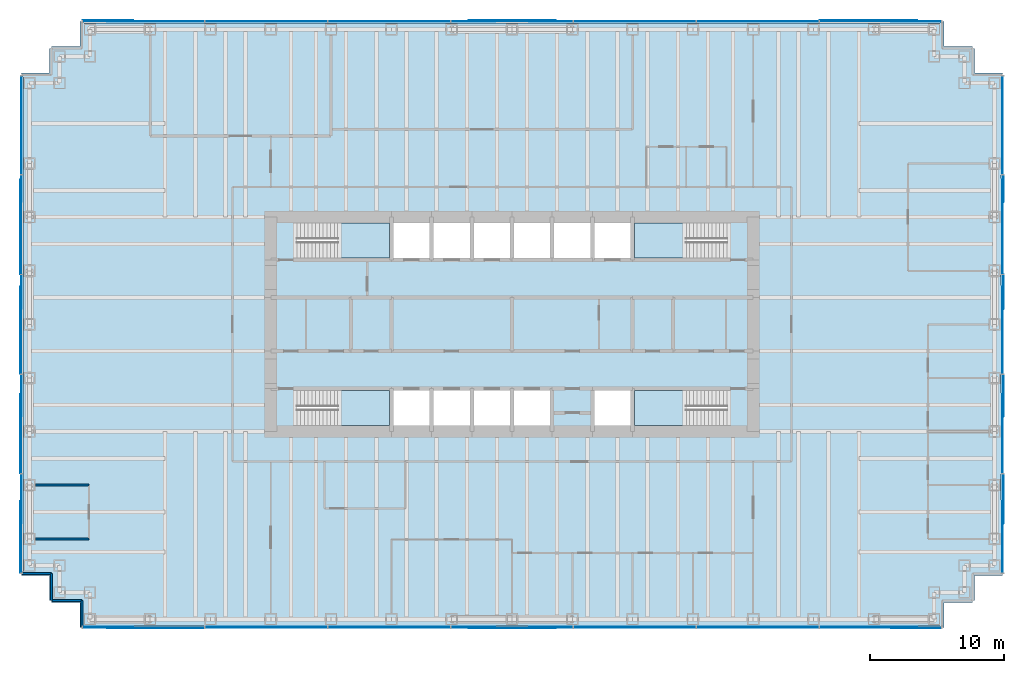
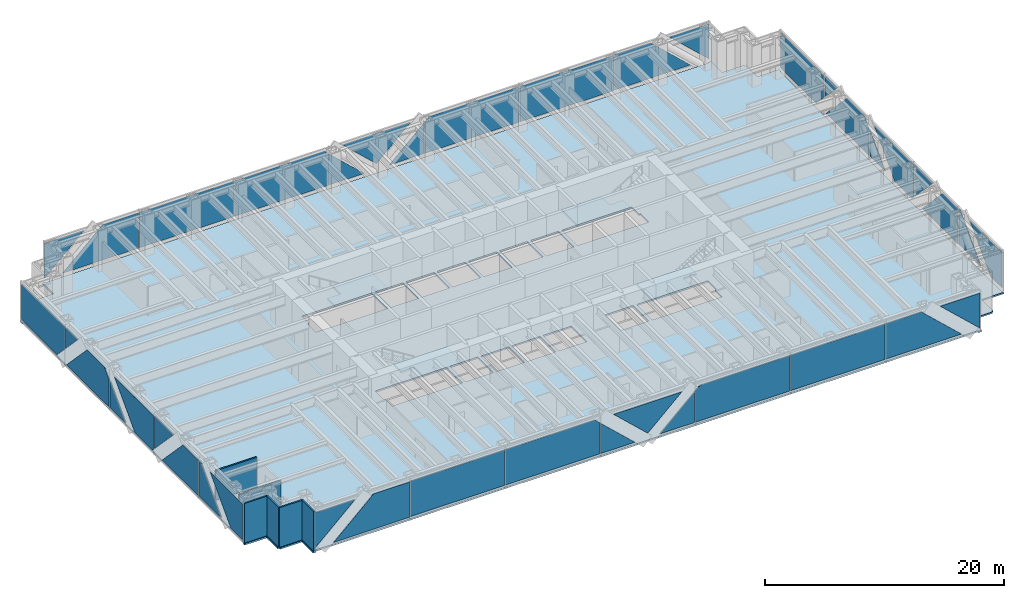
# One storey, part 10 of 15: 40 plates, 6 walls, 5 slabs, 8 elements without a shape of their own.
"""IFC4 building model written with IfcOpenShell, lengths in metres."""

from ifc_helpers import new_model, si_unit, direction, frame, frame_2d, origin, origin_2d, place, context, subcontext, project, spatial, polyline, rectangle, outline, extrude, material, layer, layer_set, type_object, element, aggregate, save


model = new_model("IFC4")

# Units and contexts
model_context = context("Model", 3, precision=1e-05, world=origin(), true_north=direction((0.0, 1.0)))
body_context = subcontext(model_context, "Body", "Model", "MODEL_VIEW")
ifc_project = project(units=[si_unit("LENGTHUNIT", "METRE"), si_unit("AREAUNIT", "SQUARE_METRE"), si_unit("VOLUMEUNIT", "CUBIC_METRE"), si_unit("PLANEANGLEUNIT", "RADIAN"), si_unit("MASSUNIT", "GRAM", prefix="KILO")], contexts=[model_context])

# Site, building, storey
site_placement = place(None, origin())
site = spatial("IfcSite", under=ifc_project, at=site_placement, CompositionType="ELEMENT")
building_placement = place(site_placement, origin())
building = spatial("IfcBuilding", under=site, at=building_placement, Name="Rheinbord Bourse Tower", CompositionType="ELEMENT")
storey_placement = place(building_placement, frame((0.0, 0.0, 125.699951171875)))
storey = spatial("IfcBuildingStorey", under=building, at=storey_placement, Name="L27", CompositionType="ELEMENT", Elevation=125.699951171875)

# Slab
ifc_material_1 = material(Name="Concrete C30/37", Category="concrete")
ifc_layer_1 = layer(ifc_material_1, 0.159912109375)
ifc_layer_set_1 = layer_set([ifc_layer_1], Name="COMPOSITE FLOOR SLAB 160")
slab_type_1 = type_object("IfcSlabType", Name="COMPOSITE FLOOR SLAB 160", PredefinedType="FLOOR", material=ifc_layer_set_1)
slab_1_placement = place(storey_placement, frame((0.0, 0.0, -0.159912109375)))
element("IfcSlab", 1, at=slab_1_placement, inside=storey, type_object=slab_type_1, Name="Floor slab L27", PredefinedType="FLOOR", context=body_context, shape_type="SweptSolid", body=[
    extrude(outline(polyline([(1.64990234375, 3.39990234375), (1.5, 3.39990234375), (1.5, 5.25), (-0.60009765625, 5.25), (-0.60009765625, 5.550048828125), (-0.5, 5.550048828125), (-0.5, 42.449951171875), (-0.60009765625, 42.449951171875), (-0.60009765625, 42.75), (1.5, 42.75), (1.5, 44.60009765625), (1.64990234375, 44.60009765625), (1.64990234375, 44.75), (3.75, 44.75), (3.75, 46.60009765625), (4.050048828125, 46.60009765625), (4.050048828125, 46.5), (67.949951171875, 46.5), (67.949951171875, 46.60009765625), (68.25, 46.60009765625), (68.25, 44.75), (70.35009765625, 44.75), (70.35009765625, 44.60009765625), (70.5, 44.60009765625), (70.5, 42.75), (72.60009765625, 42.75), (72.60009765625, 42.449951171875), (72.5, 42.449951171875), (72.5, 5.550048828125), (72.60009765625, 5.550048828125), (72.60009765625, 5.25), (70.5, 5.25), (70.5, 3.39990234375), (70.35009765625, 3.39990234375), (70.35009765625, 3.25), (68.25, 3.25), (68.25, 1.39990234375), (67.949951171875, 1.39990234375), (67.949951171875, 1.5), (4.050048828125, 1.5), (4.050048828125, 1.39990234375), (3.75, 1.39990234375), (3.75, 3.25), (1.64990234375, 3.25), (1.64990234375, 3.39990234375)]), holes=[polyline([(19.949951171875, 19.050048828125), (26.85009765625, 19.050048828125), (26.85009765625, 16.449951171875), (20.10009765625, 16.449951171875), (20.10009765625, 17.64990234375), (19.949951171875, 17.64990234375), (19.949951171875, 19.050048828125)]), polyline([(26.85009765625, 31.550048828125), (26.85009765625, 28.949951171875), (19.949951171875, 28.949951171875), (19.949951171875, 30.35009765625), (20.10009765625, 30.35009765625), (20.10009765625, 31.550048828125), (26.85009765625, 31.550048828125)]), polyline([(45.14990234375, 16.449951171875), (45.14990234375, 19.050048828125), (52.050048828125, 19.050048828125), (52.050048828125, 17.64990234375), (51.89990234375, 17.64990234375), (51.89990234375, 16.449951171875), (45.14990234375, 16.449951171875)]), polyline([(52.050048828125, 28.949951171875), (45.14990234375, 28.949951171875), (45.14990234375, 31.550048828125), (51.89990234375, 31.550048828125), (51.89990234375, 30.35009765625), (52.050048828125, 30.35009765625), (52.050048828125, 28.949951171875)]), polyline([(27.14990234375, 16.449951171875), (27.14990234375, 19.050048828125), (29.85009765625, 19.050048828125), (29.85009765625, 16.449951171875), (27.14990234375, 16.449951171875)]), polyline([(27.14990234375, 28.949951171875), (27.14990234375, 31.550048828125), (29.85009765625, 31.550048828125), (29.85009765625, 28.949951171875), (27.14990234375, 28.949951171875)]), polyline([(30.14990234375, 16.449951171875), (30.14990234375, 19.050048828125), (32.85009765625, 19.050048828125), (32.85009765625, 16.449951171875), (30.14990234375, 16.449951171875)]), polyline([(30.14990234375, 28.949951171875), (30.14990234375, 31.550048828125), (32.85009765625, 31.550048828125), (32.85009765625, 28.949951171875), (30.14990234375, 28.949951171875)]), polyline([(33.14990234375, 16.449951171875), (33.14990234375, 19.050048828125), (35.85009765625, 19.050048828125), (35.85009765625, 16.449951171875), (33.14990234375, 16.449951171875)]), polyline([(33.14990234375, 28.949951171875), (33.14990234375, 31.550048828125), (35.85009765625, 31.550048828125), (35.85009765625, 28.949951171875), (33.14990234375, 28.949951171875)]), polyline([(36.14990234375, 16.449951171875), (36.14990234375, 19.050048828125), (38.85009765625, 19.050048828125), (38.85009765625, 16.449951171875), (36.14990234375, 16.449951171875)]), polyline([(36.14990234375, 28.949951171875), (36.14990234375, 31.550048828125), (38.85009765625, 31.550048828125), (38.85009765625, 28.949951171875), (36.14990234375, 28.949951171875)]), polyline([(39.14990234375, 28.949951171875), (39.14990234375, 31.550048828125), (41.85009765625, 31.550048828125), (41.85009765625, 28.949951171875), (39.14990234375, 28.949951171875)]), polyline([(42.14990234375, 16.449951171875), (42.14990234375, 19.050048828125), (44.85009765625, 19.050048828125), (44.85009765625, 16.449951171875), (42.14990234375, 16.449951171875)]), polyline([(42.14990234375, 28.949951171875), (42.14990234375, 31.550048828125), (44.85009765625, 31.550048828125), (44.85009765625, 28.949951171875), (42.14990234375, 28.949951171875)])]), origin(), (0.0, 0.0, 1.0), 0.159912109375),
])

# Curtain wall, plates
ifc_material_2 = material(Name="Dark glass and black aluminium", Category="aluminium")
curtain_wall_type = type_object("IfcCurtainWallType", Name="CW2 DARK GLASS CURTAIN WALL", PredefinedType="USERDEFINED", material=ifc_material_2)
curtain_wall_1_placement = place(storey_placement, origin())
curtain_wall_1 = element("IfcCurtainWall", 2, at=curtain_wall_1_placement, inside=storey, type_object=curtain_wall_type, Name="Curtain wall CW2 S L27", ObjectType="UNITISED CURTAIN WALL", PredefinedType="USERDEFINED")
ifc_material_3 = material(Name="Dark tinted triple insulating glass", Category="glass")
ifc_layer_2 = layer(ifc_material_3, 0.050048828125)
ifc_layer_set_2 = layer_set([ifc_layer_2], Name="CW2 DARK GLASS PANEL")
plate_type = type_object("IfcPlateType", Name="CW2 DARK GLASS PANEL", PredefinedType="CURTAIN_PANEL", material=ifc_layer_set_2)
plate_1_placement = place(storey_placement, frame((17.6572265625, 1.39990234375, 0.300048828125), z_axis=(0.0, 0.0, 1.0), x_axis=(1.0, 0.0, 0.0)))
plate_1 = element("IfcPlate", 3, at=plate_1_placement, type_object=plate_type, Name="CW2 panel 2.1", PredefinedType="CURTAIN_PANEL", context=body_context, shape_type="SweptSolid", body=[
    extrude(rectangle(XDim=9.101318359375, YDim=0.050048828125, at=origin_2d()), origin(), (0.0, 0.0, 1.0), 3.60009765625),
])
plate_2_placement = place(storey_placement, frame((54.3427734375, 1.39990234375, 0.300048828125), z_axis=(0.0, 0.0, 1.0), x_axis=(1.0, 0.0, 0.0)))
plate_2 = element("IfcPlate", 4, at=plate_2_placement, type_object=plate_type, Name="CW2 panel 6.1", PredefinedType="CURTAIN_PANEL", context=body_context, shape_type="SweptSolid", body=[
    extrude(rectangle(XDim=9.101318359375, YDim=0.050048828125, at=origin_2d()), origin(), (0.0, 0.0, 1.0), 3.60009765625),
])
plate_3_placement = place(storey_placement, frame((3.969970703125, 1.375, 3.900146484375), z_axis=(0.0, 1.0, 0.0), x_axis=(1.0, 0.0, 0.0)))
plate_3 = element("IfcPlate", 5, at=plate_3_placement, type_object=plate_type, Name="CW2 glass facet 1", PredefinedType="CURTAIN_PANEL", context=body_context, shape_type="SweptSolid", body=[
    extrude(outline(polyline([(0.0, 0.0), (3.822021484375, 0.0), (0.0, 3.567138671875), (0.0, 0.0)])), origin(), (0.0, 0.0, 1.0), 0.050048828125),
])
plate_4_placement = place(storey_placement, frame((13.035888671875, 1.31982421875, 3.900146484375), z_axis=(0.0, 1.0, 0.0), x_axis=(0.0, 0.0, -1.0)))
plate_4 = element("IfcPlate", 6, at=plate_4_placement, type_object=plate_type, Name="CW2 glass facet 2", PredefinedType="CURTAIN_PANEL", context=body_context, shape_type="SweptSolid", body=[
    extrude(outline(polyline([(0.0, 0.0), (3.60009765625, 0.0), (3.60009765625, 7.327880859375), (0.0, 3.470947265625), (0.0, 0.0)])), origin(), (0.0, 0.0, 1.0), 0.050048828125),
])
plate_5_placement = place(storey_placement, frame((31.37890625, 1.375, 0.300048828125), z_axis=(0.0, 1.0, 0.0), x_axis=(-1.0, 0.0, 0.0)))
plate_5 = element("IfcPlate", 7, at=plate_5_placement, type_object=plate_type, Name="CW2 glass facet 1", PredefinedType="CURTAIN_PANEL", context=body_context, shape_type="SweptSolid", body=[
    extrude(outline(polyline([(0.0, 0.0), (9.100830078125, 0.0), (9.100830078125, 3.60009765625), (0.44384765625, 3.60009765625), (0.0, 3.18505859375), (0.0, 0.0)])), origin(), (0.0, 0.0, 1.0), 0.050048828125),
])
plate_6_placement = place(storey_placement, frame((31.448974609375, 1.375, 0.300048828125), z_axis=(0.0, 1.0, 0.0), x_axis=(0.0, 0.0, 1.0)))
plate_6 = element("IfcPlate", 8, at=plate_6_placement, type_object=plate_type, Name="CW2 glass facet 1", PredefinedType="CURTAIN_PANEL", context=body_context, shape_type="SweptSolid", body=[
    extrude(outline(polyline([(0.0, 0.0), (3.1201171875, 0.0), (0.0, 3.343017578125), (0.0, 0.0)])), origin(), (0.0, 0.0, 1.0), 0.050048828125),
])
plate_7_placement = place(storey_placement, frame((39.2919921875, 1.31982421875, 3.900146484375), z_axis=(0.0, 1.0, 0.0), x_axis=(-0.731111160705, 0.0, -0.682258360661)))
plate_7 = element("IfcPlate", 9, at=plate_7_placement, type_object=plate_type, Name="CW2 glass facet 2", PredefinedType="CURTAIN_PANEL", context=body_context, shape_type="SweptSolid", body=[
    extrude(outline(polyline([(0.0, 0.0), (4.502685546875, 0.0), (4.813720703125, 4.491943359375), (0.0, 0.0)])), origin(), (0.0, 0.0, 1.0), 0.050048828125),
])
plate_8_placement = place(storey_placement, frame((40.551025390625, 1.375, 0.300048828125), z_axis=(0.0, 1.0, 0.0), x_axis=(-1.0, 0.0, 0.0)))
plate_8 = element("IfcPlate", 10, at=plate_8_placement, type_object=plate_type, Name="CW2 glass facet 3", PredefinedType="CURTAIN_PANEL", context=body_context, shape_type="SweptSolid", body=[
    extrude(outline(polyline([(0.0, 0.0), (3.343017578125, 0.0), (0.0, 3.1201171875), (0.0, 0.0)])), origin(), (0.0, 0.0, 1.0), 0.050048828125),
])
plate_9_placement = place(storey_placement, frame((49.721923828125, 1.375, 3.900146484375), z_axis=(0.0, 1.0, 0.0), x_axis=(0.0, 0.0, -1.0)))
plate_9 = element("IfcPlate", 11, at=plate_9_placement, type_object=plate_type, Name="CW2 glass facet 1", PredefinedType="CURTAIN_PANEL", context=body_context, shape_type="SweptSolid", body=[
    extrude(outline(polyline([(0.0, 0.0), (3.60009765625, 0.0), (3.60009765625, 9.100830078125), (0.4150390625, 9.100830078125), (0.0, 8.656982421875), (0.0, 0.0)])), origin(), (0.0, 0.0, 1.0), 0.050048828125),
])
plate_10_placement = place(storey_placement, frame((58.964111328125, 1.375, 0.300048828125), z_axis=(0.0, 1.0, 0.0), x_axis=(0.0, 0.0, 1.0)))
plate_10 = element("IfcPlate", 12, at=plate_10_placement, type_object=plate_type, Name="CW2 glass facet 1", PredefinedType="CURTAIN_PANEL", context=body_context, shape_type="SweptSolid", body=[
    extrude(outline(polyline([(0.0, 0.0), (3.60009765625, 0.0), (3.60009765625, 3.470947265625), (0.0, 7.327880859375), (0.0, 0.0)])), origin(), (0.0, 0.0, 1.0), 0.050048828125),
])
plate_11_placement = place(storey_placement, frame((68.030029296875, 1.31982421875, 3.900146484375), z_axis=(0.0, 1.0, 0.0), x_axis=(0.0, 0.0, -1.0)))
plate_11 = element("IfcPlate", 13, at=plate_11_placement, type_object=plate_type, Name="CW2 glass facet 2", PredefinedType="CURTAIN_PANEL", context=body_context, shape_type="SweptSolid", body=[
    extrude(outline(polyline([(0.0, 0.0), (3.567138671875, 0.0), (0.0, 3.822021484375), (0.0, 0.0)])), origin(), (0.0, 0.0, 1.0), 0.050048828125),
])
aggregate(curtain_wall_1, [plate_1, plate_2, plate_3, plate_4, plate_5, plate_6, plate_7, plate_8, plate_9, plate_10, plate_11])

curtain_wall_2_placement = place(storey_placement, origin())
curtain_wall_2 = element("IfcCurtainWall", 14, at=curtain_wall_2_placement, inside=storey, type_object=curtain_wall_type, Name="Curtain wall CW2 E L27", ObjectType="UNITISED CURTAIN WALL", PredefinedType="USERDEFINED")
plate_12_placement = place(storey_placement, frame((72.625, 5.469970703125, 0.300048828125), z_axis=(-1.0, 0.0, 0.0), x_axis=(0.0, 0.0, 1.0)))
plate_12 = element("IfcPlate", 15, at=plate_12_placement, type_object=plate_type, Name="CW2 glass facet 1", PredefinedType="CURTAIN_PANEL", context=body_context, shape_type="SweptSolid", body=[
    extrude(outline(polyline([(0.0, 0.0), (3.60009765625, 0.0), (3.60009765625, 5.408935546875), (0.0, 1.97998046875), (0.0, 0.0)])), origin(), (0.0, 0.0, 1.0), 0.050048828125),
])
plate_13_placement = place(storey_placement, frame((72.68017578125, 12.804931640625, 3.900146484375), z_axis=(-1.0, 0.0, 0.0), x_axis=(0.0, 0.0, -1.0)))
plate_13 = element("IfcPlate", 16, at=plate_13_placement, type_object=plate_type, Name="CW2 glass facet 2", PredefinedType="CURTAIN_PANEL", context=body_context, shape_type="SweptSolid", body=[
    extrude(outline(polyline([(0.0, 0.0), (3.60009765625, 0.0), (3.60009765625, 3.683837890625), (0.0, 0.2548828125), (0.0, 0.0)])), origin(), (0.0, 0.0, 1.0), 0.050048828125),
])
plate_14_placement = place(storey_placement, frame((72.625, 12.875, 0.300048828125), z_axis=(-1.0, 0.0, 0.0), x_axis=(0.0, 0.0, 1.0)))
plate_14 = element("IfcPlate", 17, at=plate_14_placement, type_object=plate_type, Name="CW2 glass facet 1", PredefinedType="CURTAIN_PANEL", context=body_context, shape_type="SweptSolid", body=[
    extrude(outline(polyline([(0.0, 0.0), (3.60009765625, 0.0), (3.60009765625, 2.574951171875), (0.0, 6.00390625), (0.0, 0.0)])), origin(), (0.0, 0.0, 1.0), 0.050048828125),
])
plate_15_placement = place(storey_placement, frame((72.68017578125, 20.2451171875, 3.900146484375), z_axis=(-1.0, 0.0, 0.0), x_axis=(0.0, 0.0, -1.0)))
plate_15 = element("IfcPlate", 18, at=plate_15_placement, type_object=plate_type, Name="CW2 glass facet 2", PredefinedType="CURTAIN_PANEL", context=body_context, shape_type="SweptSolid", body=[
    extrude(outline(polyline([(0.0, 0.0), (3.280029296875, 0.0), (0.0, 3.1240234375), (0.0, 0.0)])), origin(), (0.0, 0.0, 1.0), 0.050048828125),
])
plate_16_placement = place(storey_placement, frame((72.625, 20.550048828125, 0.300048828125), z_axis=(-1.0, 0.0, 0.0), x_axis=(0.0, -0.690782776575, 0.723062345574)))
plate_16 = element("IfcPlate", 19, at=plate_16_placement, type_object=plate_type, Name="CW2 glass facet 1", PredefinedType="CURTAIN_PANEL", context=body_context, shape_type="SweptSolid", body=[
    extrude(outline(polyline([(0.0, 0.0), (0.34033203125, 0.0), (2.765625, 2.31689453125), (-1.768798828125, 7.06298828125), (-2.003173828125, 2.096923828125), (0.0, 0.0)])), origin(), (0.0, 0.0, 1.0), 0.050048828125),
])
plate_17_placement = place(storey_placement, frame((72.68017578125, 27.68505859375, 0.300048828125), z_axis=(-1.0, 0.0, 0.0), x_axis=(0.0, -1.0, 0.0)))
plate_17 = element("IfcPlate", 20, at=plate_17_placement, type_object=plate_type, Name="CW2 glass facet 2", PredefinedType="CURTAIN_PANEL", context=body_context, shape_type="SweptSolid", body=[
    extrude(outline(polyline([(0.0, 0.0), (2.56396484375, 0.0), (0.0, 2.69189453125), (0.0, 0.0)])), origin(), (0.0, 0.0, 1.0), 0.050048828125),
])
plate_18_placement = place(storey_placement, frame((72.625, 27.7548828125, 0.300048828125), z_axis=(-1.0, 0.0, 0.0), x_axis=(0.0, 0.0, 1.0)))
plate_18 = element("IfcPlate", 21, at=plate_18_placement, type_object=plate_type, Name="CW2 glass facet 1", PredefinedType="CURTAIN_PANEL", context=body_context, shape_type="SweptSolid", body=[
    extrude(outline(polyline([(0.0, 0.0), (2.76611328125, 0.0), (3.60009765625, 0.795166015625), (3.60009765625, 3.695068359375), (0.0, 7.1240234375), (0.0, 0.0)])), origin(), (0.0, 0.0, 1.0), 0.050048828125),
])
plate_19_placement = place(storey_placement, frame((72.68017578125, 35.125, 3.900146484375), z_axis=(-1.0, 0.0, 0.0), x_axis=(0.0, 0.0, -1.0)))
plate_19 = element("IfcPlate", 22, at=plate_19_placement, type_object=plate_type, Name="CW2 glass facet 2", PredefinedType="CURTAIN_PANEL", context=body_context, shape_type="SweptSolid", body=[
    extrude(outline(polyline([(0.0, 0.0), (2.10400390625, 0.0), (0.0, 2.00390625), (0.0, 0.0)])), origin(), (0.0, 0.0, 1.0), 0.050048828125),
])
plate_20_placement = place(storey_placement, frame((72.625, 35.195068359375, 3.900146484375), z_axis=(-1.0, 0.0, 0.0), x_axis=(0.0, 1.0, 0.0)))
plate_20 = element("IfcPlate", 23, at=plate_20_placement, type_object=plate_type, Name="CW2 glass facet 1", PredefinedType="CURTAIN_PANEL", context=body_context, shape_type="SweptSolid", body=[
    extrude(outline(polyline([(0.0, 0.0), (7.3349609375, 0.0), (7.3349609375, 3.60009765625), (1.35498046875, 3.60009765625), (0.0, 2.177978515625), (0.0, 0.0)])), origin(), (0.0, 0.0, 1.0), 0.050048828125),
])
aggregate(curtain_wall_2, [plate_12, plate_13, plate_14, plate_15, plate_16, plate_17, plate_18, plate_19, plate_20])

curtain_wall_3_placement = place(storey_placement, origin())
curtain_wall_3 = element("IfcCurtainWall", 24, at=curtain_wall_3_placement, inside=storey, type_object=curtain_wall_type, Name="Curtain wall CW2 N L27", ObjectType="UNITISED CURTAIN WALL", PredefinedType="USERDEFINED")
plate_21_placement = place(storey_placement, frame((54.3427734375, 46.60009765625, 0.300048828125), z_axis=(0.0, 0.0, 1.0), x_axis=(-1.0, 0.0, 0.0)))
plate_21 = element("IfcPlate", 25, at=plate_21_placement, type_object=plate_type, Name="CW2 panel 2.1", PredefinedType="CURTAIN_PANEL", context=body_context, shape_type="SweptSolid", body=[
    extrude(rectangle(XDim=9.101318359375, YDim=0.050048828125, at=origin_2d()), origin(), (0.0, 0.0, 1.0), 3.60009765625),
])
plate_22_placement = place(storey_placement, frame((17.6572265625, 46.60009765625, 0.300048828125), z_axis=(0.0, 0.0, 1.0), x_axis=(-1.0, 0.0, 0.0)))
plate_22 = element("IfcPlate", 26, at=plate_22_placement, type_object=plate_type, Name="CW2 panel 6.1", PredefinedType="CURTAIN_PANEL", context=body_context, shape_type="SweptSolid", body=[
    extrude(rectangle(XDim=9.101318359375, YDim=0.050048828125, at=origin_2d()), origin(), (0.0, 0.0, 1.0), 3.60009765625),
])
plate_23_placement = place(storey_placement, frame((68.030029296875, 46.625, 3.900146484375), z_axis=(0.0, -1.0, 0.0), x_axis=(-1.0, 0.0, 0.0)))
plate_23 = element("IfcPlate", 27, at=plate_23_placement, type_object=plate_type, Name="CW2 glass facet 1", PredefinedType="CURTAIN_PANEL", context=body_context, shape_type="SweptSolid", body=[
    extrude(outline(polyline([(0.0, 0.0), (3.822021484375, 0.0), (0.0, 3.567138671875), (0.0, 0.0)])), origin(), (0.0, 0.0, 1.0), 0.050048828125),
])
plate_24_placement = place(storey_placement, frame((58.964111328125, 46.68017578125, 3.900146484375), z_axis=(0.0, -1.0, 0.0), x_axis=(0.0, 0.0, -1.0)))
plate_24 = element("IfcPlate", 28, at=plate_24_placement, type_object=plate_type, Name="CW2 glass facet 2", PredefinedType="CURTAIN_PANEL", context=body_context, shape_type="SweptSolid", body=[
    extrude(outline(polyline([(0.0, 0.0), (3.60009765625, 0.0), (3.60009765625, 7.327880859375), (0.0, 3.470947265625), (0.0, 0.0)])), origin(), (0.0, 0.0, 1.0), 0.050048828125),
])
plate_25_placement = place(storey_placement, frame((40.62109375, 46.625, 0.300048828125), z_axis=(0.0, -1.0, 0.0), x_axis=(1.0, 0.0, 0.0)))
plate_25 = element("IfcPlate", 29, at=plate_25_placement, type_object=plate_type, Name="CW2 glass facet 1", PredefinedType="CURTAIN_PANEL", context=body_context, shape_type="SweptSolid", body=[
    extrude(outline(polyline([(0.0, 0.0), (9.100830078125, 0.0), (9.100830078125, 3.60009765625), (0.44384765625, 3.60009765625), (0.0, 3.18505859375), (0.0, 0.0)])), origin(), (0.0, 0.0, 1.0), 0.050048828125),
])
plate_26_placement = place(storey_placement, frame((40.551025390625, 46.625, 0.300048828125), z_axis=(0.0, -1.0, 0.0), x_axis=(0.0, 0.0, 1.0)))
plate_26 = element("IfcPlate", 30, at=plate_26_placement, type_object=plate_type, Name="CW2 glass facet 1", PredefinedType="CURTAIN_PANEL", context=body_context, shape_type="SweptSolid", body=[
    extrude(outline(polyline([(0.0, 0.0), (3.1201171875, 0.0), (0.0, 3.343017578125), (0.0, 0.0)])), origin(), (0.0, 0.0, 1.0), 0.050048828125),
])
plate_27_placement = place(storey_placement, frame((32.7080078125, 46.68017578125, 3.900146484375), z_axis=(0.0, -1.0, 0.0), x_axis=(0.731111160705, 0.0, -0.682258360661)))
plate_27 = element("IfcPlate", 31, at=plate_27_placement, type_object=plate_type, Name="CW2 glass facet 2", PredefinedType="CURTAIN_PANEL", context=body_context, shape_type="SweptSolid", body=[
    extrude(outline(polyline([(0.0, 0.0), (4.502685546875, 0.0), (4.813720703125, 4.491943359375), (0.0, 0.0)])), origin(), (0.0, 0.0, 1.0), 0.050048828125),
])
plate_28_placement = place(storey_placement, frame((31.448974609375, 46.625, 0.300048828125), z_axis=(0.0, -1.0, 0.0), x_axis=(1.0, 0.0, 0.0)))
plate_28 = element("IfcPlate", 32, at=plate_28_placement, type_object=plate_type, Name="CW2 glass facet 3", PredefinedType="CURTAIN_PANEL", context=body_context, shape_type="SweptSolid", body=[
    extrude(outline(polyline([(0.0, 0.0), (3.343017578125, 0.0), (0.0, 3.1201171875), (0.0, 0.0)])), origin(), (0.0, 0.0, 1.0), 0.050048828125),
])
plate_29_placement = place(storey_placement, frame((22.278076171875, 46.625, 3.900146484375), z_axis=(0.0, -1.0, 0.0), x_axis=(0.0, 0.0, -1.0)))
plate_29 = element("IfcPlate", 33, at=plate_29_placement, type_object=plate_type, Name="CW2 glass facet 1", PredefinedType="CURTAIN_PANEL", context=body_context, shape_type="SweptSolid", body=[
    extrude(outline(polyline([(0.0, 0.0), (3.60009765625, 0.0), (3.60009765625, 9.100830078125), (0.4150390625, 9.100830078125), (0.0, 8.656982421875), (0.0, 0.0)])), origin(), (0.0, 0.0, 1.0), 0.050048828125),
])
plate_30_placement = place(storey_placement, frame((13.035888671875, 46.625, 0.300048828125), z_axis=(0.0, -1.0, 0.0), x_axis=(0.0, 0.0, 1.0)))
plate_30 = element("IfcPlate", 34, at=plate_30_placement, type_object=plate_type, Name="CW2 glass facet 1", PredefinedType="CURTAIN_PANEL", context=body_context, shape_type="SweptSolid", body=[
    extrude(outline(polyline([(0.0, 0.0), (3.60009765625, 0.0), (3.60009765625, 3.470947265625), (0.0, 7.327880859375), (0.0, 0.0)])), origin(), (0.0, 0.0, 1.0), 0.050048828125),
])
plate_31_placement = place(storey_placement, frame((3.969970703125, 46.68017578125, 3.900146484375), z_axis=(0.0, -1.0, 0.0), x_axis=(0.0, 0.0, -1.0)))
plate_31 = element("IfcPlate", 35, at=plate_31_placement, type_object=plate_type, Name="CW2 glass facet 2", PredefinedType="CURTAIN_PANEL", context=body_context, shape_type="SweptSolid", body=[
    extrude(outline(polyline([(0.0, 0.0), (3.567138671875, 0.0), (0.0, 3.822021484375), (0.0, 0.0)])), origin(), (0.0, 0.0, 1.0), 0.050048828125),
])
aggregate(curtain_wall_3, [plate_21, plate_22, plate_23, plate_24, plate_25, plate_26, plate_27, plate_28, plate_29, plate_30, plate_31])

curtain_wall_4_placement = place(storey_placement, origin())
curtain_wall_4 = element("IfcCurtainWall", 36, at=curtain_wall_4_placement, inside=storey, type_object=curtain_wall_type, Name="Curtain wall CW2 W L27", ObjectType="UNITISED CURTAIN WALL", PredefinedType="USERDEFINED")
plate_32_placement = place(storey_placement, frame((-0.625, 42.530029296875, 0.300048828125), z_axis=(1.0, 0.0, 0.0), x_axis=(0.0, 0.0, 1.0)))
plate_32 = element("IfcPlate", 37, at=plate_32_placement, type_object=plate_type, Name="CW2 glass facet 1", PredefinedType="CURTAIN_PANEL", context=body_context, shape_type="SweptSolid", body=[
    extrude(outline(polyline([(0.0, 0.0), (3.60009765625, 0.0), (3.60009765625, 7.3349609375), (1.422119140625, 7.3349609375), (0.0, 5.97998046875), (0.0, 0.0)])), origin(), (0.0, 0.0, 1.0), 0.050048828125),
])
plate_33_placement = place(storey_placement, frame((-0.625, 35.125, 3.900146484375), z_axis=(1.0, 0.0, 0.0), x_axis=(0.0, -1.0, 0.0)))
plate_33 = element("IfcPlate", 38, at=plate_33_placement, type_object=plate_type, Name="CW2 glass facet 1", PredefinedType="CURTAIN_PANEL", context=body_context, shape_type="SweptSolid", body=[
    extrude(outline(polyline([(0.0, 0.0), (2.00390625, 0.0), (0.0, 2.10400390625), (0.0, 0.0)])), origin(), (0.0, 0.0, 1.0), 0.050048828125),
])
plate_34_placement = place(storey_placement, frame((-0.68017578125, 27.7548828125, 0.300048828125), z_axis=(1.0, 0.0, 0.0), x_axis=(0.0, 1.0, 0.0)))
plate_34 = element("IfcPlate", 39, at=plate_34_placement, type_object=plate_type, Name="CW2 glass facet 2", PredefinedType="CURTAIN_PANEL", context=body_context, shape_type="SweptSolid", body=[
    extrude(outline(polyline([(0.0, 0.0), (7.1240234375, 0.0), (3.695068359375, 3.60009765625), (0.795166015625, 3.60009765625), (0.0, 2.76611328125), (0.0, 0.0)])), origin(), (0.0, 0.0, 1.0), 0.050048828125),
])
plate_35_placement = place(storey_placement, frame((-0.625, 27.68505859375, 0.300048828125), z_axis=(1.0, 0.0, 0.0), x_axis=(0.0, 0.0, 1.0)))
plate_35 = element("IfcPlate", 40, at=plate_35_placement, type_object=plate_type, Name="CW2 glass facet 1", PredefinedType="CURTAIN_PANEL", context=body_context, shape_type="SweptSolid", body=[
    extrude(outline(polyline([(0.0, 0.0), (2.69189453125, 0.0), (0.0, 2.56396484375), (0.0, 0.0)])), origin(), (0.0, 0.0, 1.0), 0.050048828125),
])
plate_36_placement = place(storey_placement, frame((-0.68017578125, 23.449951171875, 0.300048828125), z_axis=(1.0, 0.0, 0.0), x_axis=(0.0, 0.689685826199, 0.724108735716)))
plate_36 = element("IfcPlate", 41, at=plate_36_placement, type_object=plate_type, Name="CW2 glass facet 2", PredefinedType="CURTAIN_PANEL", context=body_context, shape_type="SweptSolid", body=[
    extrude(outline(polyline([(0.0, 0.0), (4.9716796875, 0.0), (0.444580078125, 4.7529296875), (-1.98388671875, 2.439697265625), (-2.0, 2.099853515625), (0.0, 0.0)])), origin(), (0.0, 0.0, 1.0), 0.050048828125),
])
plate_37_placement = place(storey_placement, frame((-0.625, 20.2451171875, 3.900146484375), z_axis=(1.0, 0.0, 0.0), x_axis=(0.0, -1.0, 0.0)))
plate_37 = element("IfcPlate", 42, at=plate_37_placement, type_object=plate_type, Name="CW2 glass facet 1", PredefinedType="CURTAIN_PANEL", context=body_context, shape_type="SweptSolid", body=[
    extrude(outline(polyline([(0.0, 0.0), (3.1240234375, 0.0), (0.0, 3.280029296875), (0.0, 0.0)])), origin(), (0.0, 0.0, 1.0), 0.050048828125),
])
plate_38_placement = place(storey_placement, frame((-0.68017578125, 12.875, 3.900146484375), z_axis=(1.0, 0.0, 0.0), x_axis=(0.0, 0.0, -1.0)))
plate_38 = element("IfcPlate", 43, at=plate_38_placement, type_object=plate_type, Name="CW2 glass facet 2", PredefinedType="CURTAIN_PANEL", context=body_context, shape_type="SweptSolid", body=[
    extrude(outline(polyline([(0.0, 0.0), (3.60009765625, 0.0), (3.60009765625, 6.00390625), (0.0, 2.574951171875), (0.0, 0.0)])), origin(), (0.0, 0.0, 1.0), 0.050048828125),
])
plate_39_placement = place(storey_placement, frame((-0.625, 12.804931640625, 0.300048828125), z_axis=(1.0, 0.0, 0.0), x_axis=(0.0, 0.0, 1.0)))
plate_39 = element("IfcPlate", 44, at=plate_39_placement, type_object=plate_type, Name="CW2 glass facet 1", PredefinedType="CURTAIN_PANEL", context=body_context, shape_type="SweptSolid", body=[
    extrude(outline(polyline([(0.0, 0.0), (3.60009765625, 0.0), (3.60009765625, 0.2548828125), (0.0, 3.683837890625), (0.0, 0.0)])), origin(), (0.0, 0.0, 1.0), 0.050048828125),
])
plate_40_placement = place(storey_placement, frame((-0.68017578125, 5.469970703125, 3.900146484375), z_axis=(1.0, 0.0, 0.0), x_axis=(0.0, 0.0, -1.0)))
plate_40 = element("IfcPlate", 45, at=plate_40_placement, type_object=plate_type, Name="CW2 glass facet 2", PredefinedType="CURTAIN_PANEL", context=body_context, shape_type="SweptSolid", body=[
    extrude(outline(polyline([(0.0, 0.0), (3.60009765625, 0.0), (3.60009765625, 1.97998046875), (0.0, 5.408935546875), (0.0, 0.0)])), origin(), (0.0, 0.0, 1.0), 0.050048828125),
])
aggregate(curtain_wall_4, [plate_32, plate_33, plate_34, plate_35, plate_36, plate_37, plate_38, plate_39, plate_40])

# Stair, slab
ifc_material_4 = material(Name="Concrete C30/37", Category="concrete")
stair_type = type_object("IfcStairType", Name="CORE STAIR HALF TURN 4200", PredefinedType="HALF_TURN_STAIR", material=ifc_material_4)
stair_1_placement = place(storey_placement, origin())
stair_1 = element("IfcStair", 46, at=stair_1_placement, inside=storey, type_object=stair_type, Name="Stair ST1 L27, type CS6", PredefinedType="HALF_TURN_STAIR")
ifc_material_5 = material(Name="Concrete C30/37", Category="concrete")
ifc_layer_3 = layer(ifc_material_5, 0.199951171875)
ifc_layer_set_3 = layer_set([ifc_layer_3], Name="STAIR LANDING 200")
slab_type_2 = type_object("IfcSlabType", Name="STAIR LANDING 200", PredefinedType="LANDING", material=ifc_layer_set_3)
slab_2_placement = place(storey_placement, frame((0.0, 0.0, 1.900146484375)))
slab_2 = element("IfcSlab", 47, at=slab_2_placement, type_object=slab_type_2, Name="Half landing ST1 L27", PredefinedType="LANDING", context=body_context, shape_type="SweptSolid", body=[
    extrude(outline(polyline([(23.030029296875, 16.449951171875), (26.85009765625, 16.449951171875), (26.85009765625, 19.050048828125), (21.748046875, 19.050048828125), (21.748046875, 17.85009765625), (23.030029296875, 17.85009765625), (23.030029296875, 16.449951171875)])), origin(), (0.0, 0.0, 1.0), 0.199951171875),
])
aggregate(stair_1, [slab_2])

stair_2_placement = place(storey_placement, origin())
stair_2 = element("IfcStair", 48, at=stair_2_placement, inside=storey, type_object=stair_type, Name="Stair ST2 L27, type CS6", PredefinedType="HALF_TURN_STAIR")
slab_3_placement = place(storey_placement, frame((0.0, 0.0, 1.900146484375)))
slab_3 = element("IfcSlab", 49, at=slab_3_placement, type_object=slab_type_2, Name="Half landing ST2 L27", PredefinedType="LANDING", context=body_context, shape_type="SweptSolid", body=[
    extrude(outline(polyline([(21.748046875, 28.949951171875), (26.85009765625, 28.949951171875), (26.85009765625, 31.550048828125), (23.030029296875, 31.550048828125), (23.030029296875, 30.14990234375), (21.748046875, 30.14990234375), (21.748046875, 28.949951171875)])), origin(), (0.0, 0.0, 1.0), 0.199951171875),
])
aggregate(stair_2, [slab_3])

stair_3_placement = place(storey_placement, origin())
stair_3 = element("IfcStair", 50, at=stair_3_placement, inside=storey, type_object=stair_type, Name="Stair ST3 L27, type CS6", PredefinedType="HALF_TURN_STAIR")
slab_4_placement = place(storey_placement, frame((0.0, 0.0, 1.900146484375)))
slab_4 = element("IfcSlab", 51, at=slab_4_placement, type_object=slab_type_2, Name="Half landing ST3 L27", PredefinedType="LANDING", context=body_context, shape_type="SweptSolid", body=[
    extrude(outline(polyline([(45.14990234375, 16.449951171875), (48.969970703125, 16.449951171875), (48.969970703125, 17.85009765625), (50.251953125, 17.85009765625), (50.251953125, 19.050048828125), (45.14990234375, 19.050048828125), (45.14990234375, 16.449951171875)])), origin(), (0.0, 0.0, 1.0), 0.199951171875),
])
aggregate(stair_3, [slab_4])

stair_4_placement = place(storey_placement, origin())
stair_4 = element("IfcStair", 52, at=stair_4_placement, inside=storey, type_object=stair_type, Name="Stair ST4 L27, type CS6", PredefinedType="HALF_TURN_STAIR")
slab_5_placement = place(storey_placement, frame((0.0, 0.0, 1.900146484375)))
slab_5 = element("IfcSlab", 53, at=slab_5_placement, type_object=slab_type_2, Name="Half landing ST4 L27", PredefinedType="LANDING", context=body_context, shape_type="SweptSolid", body=[
    extrude(outline(polyline([(45.14990234375, 28.949951171875), (50.251953125, 28.949951171875), (50.251953125, 30.14990234375), (48.969970703125, 30.14990234375), (48.969970703125, 31.550048828125), (45.14990234375, 31.550048828125), (45.14990234375, 28.949951171875)])), origin(), (0.0, 0.0, 1.0), 0.199951171875),
])
aggregate(stair_4, [slab_5])

# Walls
ifc_material_6 = material(Name="Black metal rainscreen panel", Category="aluminium")
ifc_layer_4 = layer(ifc_material_6, 0.14990234375)
ifc_layer_set_4 = layer_set([ifc_layer_4], Name="CORNER PIER CLADDING 150")
wall_type_1 = type_object("IfcWallType", Name="CORNER PIER CLADDING 150", PredefinedType="ELEMENTEDWALL", material=ifc_layer_set_4)
wall_1_placement = place(storey_placement, frame((-0.60009765625, 5.39990234375, 0.0), z_axis=(0.0, 0.0, 1.0), x_axis=(1.0, 0.0, 0.0)))
element("IfcWall", 54, at=wall_1_placement, inside=storey, type_object=wall_type_1, Name="Corner pier cladding L27 17", PredefinedType="ELEMENTEDWALL", context=body_context, shape_type="SweptSolid", body=[
    extrude(rectangle(XDim=2.25, YDim=0.14990234375, at=frame_2d((1.125, 0.0))), origin(), (0.0, 0.0, 1.0), 4.0400390625),
])
wall_2_placement = place(storey_placement, frame((1.64990234375, 5.39990234375, 0.0), z_axis=(0.0, 0.0, 1.0), x_axis=(0.0, -1.0, 0.0)))
element("IfcWall", 55, at=wall_2_placement, inside=storey, type_object=wall_type_1, Name="Corner pier cladding L27 18", PredefinedType="ELEMENTEDWALL", context=body_context, shape_type="SweptSolid", body=[
    extrude(rectangle(XDim=2.0, YDim=0.14990234375, at=frame_2d((1.0, 0.0))), origin(), (0.0, 0.0, 1.0), 4.0400390625),
])
wall_3_placement = place(storey_placement, frame((1.64990234375, 3.39990234375, 0.0), z_axis=(0.0, 0.0, 1.0), x_axis=(1.0, 0.0, 0.0)))
element("IfcWall", 56, at=wall_3_placement, inside=storey, type_object=wall_type_1, Name="Corner pier cladding L27 19", PredefinedType="ELEMENTEDWALL", context=body_context, shape_type="SweptSolid", body=[
    extrude(rectangle(XDim=2.25, YDim=0.14990234375, at=frame_2d((1.125, 0.0))), origin(), (0.0, 0.0, 1.0), 4.0400390625),
])
wall_4_placement = place(storey_placement, frame((3.89990234375, 3.39990234375, 0.0), z_axis=(0.0, 0.0, 1.0), x_axis=(0.0, -1.0, 0.0)))
element("IfcWall", 57, at=wall_4_placement, inside=storey, type_object=wall_type_1, Name="Corner pier cladding L27 20", PredefinedType="ELEMENTEDWALL", context=body_context, shape_type="SweptSolid", body=[
    extrude(rectangle(XDim=2.0, YDim=0.14990234375, at=frame_2d((1.0, 0.0))), origin(), (0.0, 0.0, 1.0), 4.0400390625),
])
ifc_material_7 = material(Name="Gypsum board partition", Category="gypsum board")
ifc_layer_5 = layer(ifc_material_7, 0.14990234375)
ifc_layer_set_5 = layer_set([ifc_layer_5], Name="PARTITION 150")
wall_type_2 = type_object("IfcWallType", Name="PARTITION 150", PredefinedType="PARTITIONING", material=ifc_layer_set_5)
for number, where, z_axis, x_axis, name in (
    (58, (0.449951171875, 8.0, 0.0), (0.0, 0.0, 1.0), (1.0, 0.0, 0.0), "Partition L27-03"),
    (59, (0.449951171875, 12.0, 0.0), (0.0, 0.0, 1.0), (1.0, 0.0, 0.0), "Partition L27-06"),
):
    element("IfcWall", number, at=place(storey_placement, frame(where, z_axis=z_axis, x_axis=x_axis)), inside=storey, type_object=wall_type_2, Name=name, PredefinedType="PARTITIONING", context=body_context, shape_type="SweptSolid", body=[
        extrude(rectangle(XDim=4.0, YDim=0.14990234375, at=frame_2d((2.0, 0.0))), origin(), (0.0, 0.0, 1.0), 3.0),
    ])

save(model, "model.ifc")
